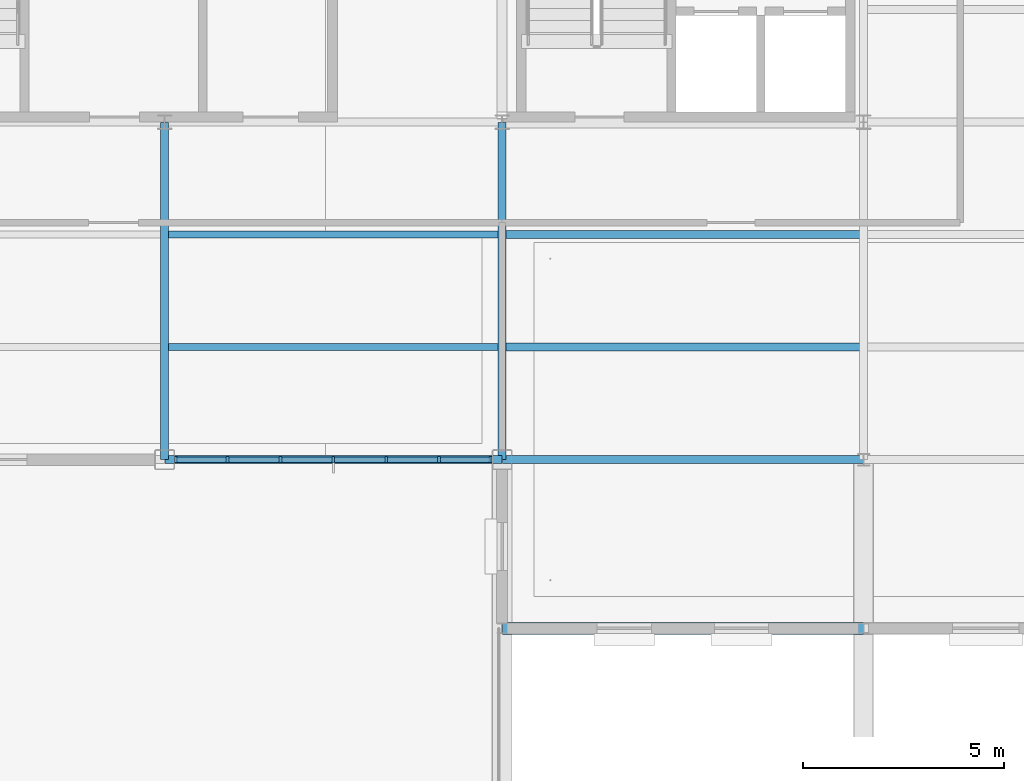
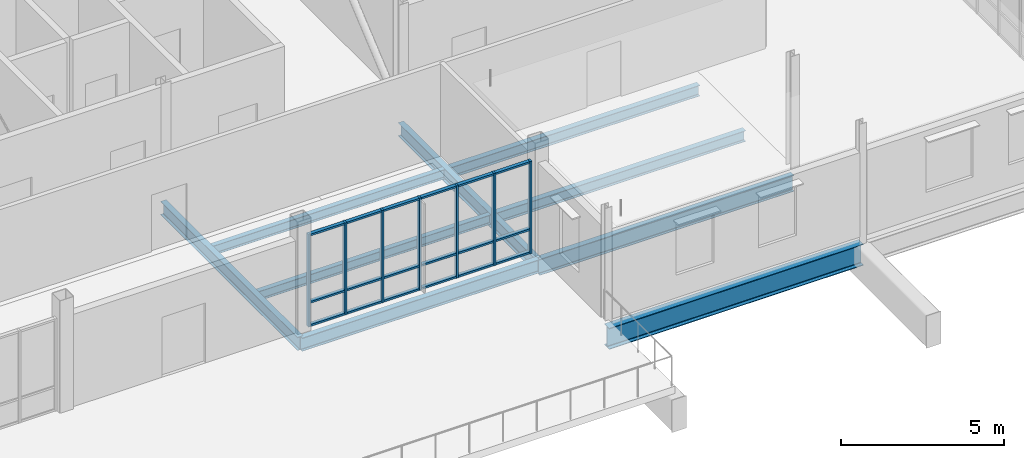
# One storey, part 5 of 22: 25 members, 9 beams, 1 element without a shape of its own.
"""IFC4 building model written with IfcOpenShell, lengths in metres."""

from ifc_helpers import new_model, si_unit, direction, frame, origin, origin_2d, place, context, subcontext, project, spatial, rectangle, i_section, extrude, material, layer, layer_set, material_profile, profile_set, type_object, element, aggregate, save


model = new_model("IFC4")

# Units and contexts
model_context = context("Model", 3, precision=1e-05, world=origin(), true_north=direction((0.0, 1.0)))
body_context = subcontext(model_context, "Body", "Model", "MODEL_VIEW")
ifc_project = project(units=[si_unit("LENGTHUNIT", "METRE"), si_unit("AREAUNIT", "SQUARE_METRE"), si_unit("VOLUMEUNIT", "CUBIC_METRE"), si_unit("PLANEANGLEUNIT", "RADIAN"), si_unit("MASSUNIT", "GRAM", prefix="KILO")], contexts=[model_context])

# Site, building, storey
site_placement = place(None, origin())
site = spatial("IfcSite", under=ifc_project, at=site_placement, CompositionType="ELEMENT")
building_placement = place(site_placement, origin())
building = spatial("IfcBuilding", under=site, at=building_placement, Name="Yukiwa Park Conservatory and Herbarium", CompositionType="ELEMENT")
storey_placement = place(building_placement, frame((0.0, 0.0, 35.39990234375)))
storey = spatial("IfcBuildingStorey", under=building, at=storey_placement, Name="L09", CompositionType="ELEMENT", Elevation=35.39990234375)

# Beams
ifc_material_1 = material(Name="Steel Q355D", Category="steel")
ifc_material_profile_1 = material_profile(ifc_material_1, i_section(OverallWidth=0.199951171875, OverallDepth=0.5, WebThickness=0.010009765625, FlangeThickness=0.01611328125, FilletRadius=0.02001953125, at=origin_2d()), Name="HN 500x200x10x16")
ifc_profile_set_1 = profile_set([ifc_material_profile_1], Name="Steel Q355D")
beam_type_1 = type_object("IfcBeamType", Name="BM-GRD-HN500", PredefinedType="BEAM", material=ifc_profile_set_1)
for number, where, z_axis, x_axis, name in (
    (1, (141.60595703125, 86.39990234375, -0.554931640625), (1.0, 0.0, 0.0), (0.0, 1.0, 0.0), "L09 grid beam X-6"),
    (2, (141.60009765625, 86.406005859375, -0.554931640625), (0.0, 1.0, 0.0), (-1.0, 0.0, 0.0), "L09 grid girder Y-32"),
    (3, (150.0, 86.406005859375, -0.554931640625), (0.0, 1.0, 0.0), (-1.0, 0.0, 0.0), "L09 grid girder Y-34"),
):
    element("IfcBeam", number, at=place(storey_placement, frame(where, z_axis=z_axis, x_axis=x_axis)), inside=storey, type_object=beam_type_1, Name=name, PredefinedType="BEAM", context=body_context, shape_type="SweptSolid", body=[
        extrude(i_section(OverallWidth=0.199951171875, OverallDepth=0.5, WebThickness=0.010009765625, FlangeThickness=0.01611328125, FilletRadius=0.02001953125, at=origin_2d()), origin(), (0.0, 0.0, 1.0), 8.387939453125),
    ])
ifc_material_2 = material(Name="Steel Q355D", Category="steel")
ifc_material_profile_2 = material_profile(ifc_material_2, i_section(OverallWidth=0.199951171875, OverallDepth=0.60009765625, WebThickness=0.010986328125, FlangeThickness=0.01708984375, FilletRadius=0.02197265625, at=origin_2d()), Name="HN 600x200x11x17")
ifc_profile_set_2 = profile_set([ifc_material_profile_2], Name="Steel Q355D")
beam_type_2 = type_object("IfcBeamType", Name="BM-GRD-HN600", PredefinedType="BEAM", material=ifc_profile_set_2)
beam_1_placement = place(storey_placement, frame((150.006103515625, 86.39990234375, -0.60498046875), z_axis=(1.0, 0.0, 0.0), x_axis=(0.0, 1.0, 0.0)))
element("IfcBeam", 4, at=beam_1_placement, inside=storey, type_object=beam_type_2, Name="L09 grid beam X-7", PredefinedType="BEAM", context=body_context, shape_type="SweptSolid", body=[
    extrude(i_section(OverallWidth=0.199951171875, OverallDepth=0.60009765625, WebThickness=0.010986328125, FlangeThickness=0.01708984375, FilletRadius=0.02197265625, at=origin_2d()), origin(), (0.0, 0.0, 1.0), 8.98779296875),
])
ifc_material_3 = material(Name="Steel Q355D", Category="steel")
ifc_material_profile_3 = material_profile(ifc_material_3, i_section(OverallWidth=0.175048828125, OverallDepth=0.35009765625, WebThickness=0.007080078125, FlangeThickness=0.010986328125, FilletRadius=0.013916015625, at=origin_2d()), Name="HN 350x175x7x11")
ifc_profile_set_3 = profile_set([ifc_material_profile_3], Name="Steel Q355D")
beam_type_3 = type_object("IfcBeamType", Name="BM-JST-HN350", PredefinedType="JOIST", material=ifc_profile_set_3)
for number, where, z_axis, x_axis, name in (
    (5, (141.696044921875, 89.199951171875, -0.47998046875), (1.0, 0.0, 0.0), (0.0, 1.0, 0.0), "L09 composite floor joist 13"),
    (6, (141.696044921875, 92.0, -0.47998046875), (1.0, 0.0, 0.0), (0.0, 1.0, 0.0), "L09 composite floor joist 14"),
):
    element("IfcBeam", number, at=place(storey_placement, frame(where, z_axis=z_axis, x_axis=x_axis)), inside=storey, type_object=beam_type_3, Name=name, PredefinedType="JOIST", context=body_context, shape_type="SweptSolid", body=[
        extrude(i_section(OverallWidth=0.175048828125, OverallDepth=0.35009765625, WebThickness=0.007080078125, FlangeThickness=0.010986328125, FilletRadius=0.013916015625, at=origin_2d()), origin(), (0.0, 0.0, 1.0), 8.2080078125),
    ])
ifc_material_4 = material(Name="Steel Q355D", Category="steel")
ifc_material_profile_4 = material_profile(ifc_material_4, i_section(OverallWidth=0.199951171875, OverallDepth=0.39990234375, WebThickness=0.008056640625, FlangeThickness=0.012939453125, FilletRadius=0.01611328125, at=origin_2d()), Name="HN 400x200x8x13")
ifc_profile_set_4 = profile_set([ifc_material_profile_4], Name="Steel Q355D")
beam_type_4 = type_object("IfcBeamType", Name="BM-JST-HN400", PredefinedType="JOIST", material=ifc_profile_set_4)
for number, where, z_axis, x_axis, name in (
    (7, (150.095947265625, 89.199951171875, -0.5048828125), (1.0, 0.0, 0.0), (0.0, 1.0, 0.0), "L09 composite floor joist 17"),
    (8, (150.095947265625, 92.0, -0.5048828125), (1.0, 0.0, 0.0), (0.0, 1.0, 0.0), "L09 composite floor joist 18"),
):
    element("IfcBeam", number, at=place(storey_placement, frame(where, z_axis=z_axis, x_axis=x_axis)), inside=storey, type_object=beam_type_4, Name=name, PredefinedType="JOIST", context=body_context, shape_type="SweptSolid", body=[
        extrude(i_section(OverallWidth=0.199951171875, OverallDepth=0.39990234375, WebThickness=0.008056640625, FlangeThickness=0.012939453125, FilletRadius=0.01611328125, at=origin_2d()), origin(), (0.0, 0.0, 1.0), 8.80810546875),
    ])
ifc_material_5 = material(Name="Steel Q355D", Category="steel")
ifc_material_profile_5 = material_profile(ifc_material_5, i_section(OverallWidth=0.300048828125, OverallDepth=0.7919921875, WebThickness=0.013916015625, FlangeThickness=0.02197265625, FilletRadius=0.028076171875, at=origin_2d()), Name="HN 792x300x14x22")
ifc_profile_set_5 = profile_set([ifc_material_profile_5], Name="Steel Q355D")
beam_type_5 = type_object("IfcBeamType", Name="BM-SPN-HN600", PredefinedType="SPANDREL", material=ifc_profile_set_5)
beam_2_placement = place(storey_placement, frame((150.006103515625, 82.199951171875, -0.700927734375), z_axis=(1.0, 0.0, 0.0), x_axis=(0.0, 1.0, 0.0)))
element("IfcBeam", 9, at=beam_2_placement, inside=storey, type_object=beam_type_5, Name="L09 spandrel beam X-2", PredefinedType="SPANDREL", context=body_context, shape_type="SweptSolid", body=[
    extrude(i_section(OverallWidth=0.300048828125, OverallDepth=0.7919921875, WebThickness=0.013916015625, FlangeThickness=0.02197265625, FilletRadius=0.028076171875, at=origin_2d()), origin(), (0.0, 0.0, 1.0), 8.98779296875),
])

# Curtain wall, members
ifc_material_6 = material(Name="Triple Low-E Insulated Glass", Category="glass")
ifc_layer = layer(ifc_material_6, 0.248046875)
ifc_layer_set = layer_set([ifc_layer], Name="Triple Low-E Insulated Glass")
curtain_wall_type = type_object("IfcCurtainWallType", Name="CW-TOWER-LAB-S-1400", PredefinedType="NOTDEFINED", material=ifc_layer_set)
curtain_wall_placement = place(storey_placement, origin())
curtain_wall = element("IfcCurtainWall", 10, at=curtain_wall_placement, inside=storey, type_object=curtain_wall_type, Name="L09 unitised curtain wall CW-L09-104", PredefinedType="NOTDEFINED")
ifc_material_7 = material(Name="Anodised Aluminium", Category="aluminium")
member_type_1 = type_object("IfcMemberType", Name="MB-CW-MUL-70X150", PredefinedType="MULLION", material=ifc_material_7)
member_1_placement = place(storey_placement, frame((141.885009765625, 86.39990234375, 0.0), z_axis=(0.0, 0.0, 1.0), x_axis=(1.0, 0.0, 0.0)))
member_1 = element("IfcMember", 11, at=member_1_placement, type_object=member_type_1, Name="CW-L09-104 mullion 1", PredefinedType="MULLION", context=body_context, shape_type="SweptSolid", body=[
    extrude(rectangle(XDim=0.070068359375, YDim=0.14990234375, at=origin_2d()), origin(), (0.0, 0.0, 1.0), 3.447998046875),
])
member_2_placement = place(storey_placement, frame((143.166748046875, 86.39990234375, 0.0), z_axis=(0.0, 0.0, 1.0), x_axis=(1.0, 0.0, 0.0)))
member_2 = element("IfcMember", 12, at=member_2_placement, type_object=member_type_1, Name="CW-L09-104 mullion 2", PredefinedType="MULLION", context=body_context, shape_type="SweptSolid", body=[
    extrude(rectangle(XDim=0.070068359375, YDim=0.14990234375, at=origin_2d()), origin(), (0.0, 0.0, 1.0), 3.447998046875),
])
member_3_placement = place(storey_placement, frame((144.4833984375, 86.39990234375, 0.0), z_axis=(0.0, 0.0, 1.0), x_axis=(1.0, 0.0, 0.0)))
member_3 = element("IfcMember", 13, at=member_3_placement, type_object=member_type_1, Name="CW-L09-104 mullion 3", PredefinedType="MULLION", context=body_context, shape_type="SweptSolid", body=[
    extrude(rectangle(XDim=0.070068359375, YDim=0.14990234375, at=origin_2d()), origin(), (0.0, 0.0, 1.0), 3.447998046875),
])
member_4_placement = place(storey_placement, frame((145.800048828125, 86.39990234375, 0.0), z_axis=(0.0, 0.0, 1.0), x_axis=(1.0, 0.0, 0.0)))
member_4 = element("IfcMember", 14, at=member_4_placement, type_object=member_type_1, Name="CW-L09-104 mullion 4", PredefinedType="MULLION", context=body_context, shape_type="SweptSolid", body=[
    extrude(rectangle(XDim=0.070068359375, YDim=0.14990234375, at=origin_2d()), origin(), (0.0, 0.0, 1.0), 3.447998046875),
])
member_5_placement = place(storey_placement, frame((147.11669921875, 86.39990234375, 0.0), z_axis=(0.0, 0.0, 1.0), x_axis=(1.0, 0.0, 0.0)))
member_5 = element("IfcMember", 15, at=member_5_placement, type_object=member_type_1, Name="CW-L09-104 mullion 5", PredefinedType="MULLION", context=body_context, shape_type="SweptSolid", body=[
    extrude(rectangle(XDim=0.070068359375, YDim=0.14990234375, at=origin_2d()), origin(), (0.0, 0.0, 1.0), 3.447998046875),
])
member_6_placement = place(storey_placement, frame((148.433349609375, 86.39990234375, 0.0), z_axis=(0.0, 0.0, 1.0), x_axis=(1.0, 0.0, 0.0)))
member_6 = element("IfcMember", 16, at=member_6_placement, type_object=member_type_1, Name="CW-L09-104 mullion 6", PredefinedType="MULLION", context=body_context, shape_type="SweptSolid", body=[
    extrude(rectangle(XDim=0.070068359375, YDim=0.14990234375, at=origin_2d()), origin(), (0.0, 0.0, 1.0), 3.447998046875),
])
member_7_placement = place(storey_placement, frame((149.715087890625, 86.39990234375, 0.0), z_axis=(0.0, 0.0, 1.0), x_axis=(1.0, 0.0, 0.0)))
member_7 = element("IfcMember", 17, at=member_7_placement, type_object=member_type_1, Name="CW-L09-104 mullion 7", PredefinedType="MULLION", context=body_context, shape_type="SweptSolid", body=[
    extrude(rectangle(XDim=0.070068359375, YDim=0.14990234375, at=origin_2d()), origin(), (0.0, 0.0, 1.0), 3.447998046875),
])
ifc_material_8 = material(Name="Anodised Aluminium", Category="aluminium")
member_type_2 = type_object("IfcMemberType", Name="MB-CW-TRN-70X130", PredefinedType="USERDEFINED", material=ifc_material_8)
member_8_placement = place(storey_placement, frame((142.50830078125, 86.39990234375, 0.0), z_axis=(0.0, 0.0, 1.0), x_axis=(1.0, 0.0, 0.0)))
member_8 = element("IfcMember", 18, at=member_8_placement, type_object=member_type_2, Name="CW-L09-104 transom 1.1", ObjectType="TRANSOM", PredefinedType="USERDEFINED", context=body_context, shape_type="SweptSolid", body=[
    extrude(rectangle(XDim=1.24658203125, YDim=0.1298828125, at=origin_2d()), origin(), (0.0, 0.0, 1.0), 0.070068359375),
])
member_9_placement = place(storey_placement, frame((142.50830078125, 86.39990234375, 0.865234375), z_axis=(0.0, 0.0, 1.0), x_axis=(1.0, 0.0, 0.0)))
member_9 = element("IfcMember", 19, at=member_9_placement, type_object=member_type_2, Name="CW-L09-104 transom 1.2", ObjectType="TRANSOM", PredefinedType="USERDEFINED", context=body_context, shape_type="SweptSolid", body=[
    extrude(rectangle(XDim=1.24658203125, YDim=0.1298828125, at=origin_2d()), origin(), (0.0, 0.0, 1.0), 0.070068359375),
])
member_10_placement = place(storey_placement, frame((142.50830078125, 86.39990234375, 3.3779296875), z_axis=(0.0, 0.0, 1.0), x_axis=(1.0, 0.0, 0.0)))
member_10 = element("IfcMember", 20, at=member_10_placement, type_object=member_type_2, Name="CW-L09-104 transom 1.3", ObjectType="TRANSOM", PredefinedType="USERDEFINED", context=body_context, shape_type="SweptSolid", body=[
    extrude(rectangle(XDim=1.24658203125, YDim=0.1298828125, at=origin_2d()), origin(), (0.0, 0.0, 1.0), 0.070068359375),
])
member_11_placement = place(storey_placement, frame((143.824951171875, 86.39990234375, 0.0), z_axis=(0.0, 0.0, 1.0), x_axis=(1.0, 0.0, 0.0)))
member_11 = element("IfcMember", 21, at=member_11_placement, type_object=member_type_2, Name="CW-L09-104 transom 2.1", ObjectType="TRANSOM", PredefinedType="USERDEFINED", context=body_context, shape_type="SweptSolid", body=[
    extrude(rectangle(XDim=1.24658203125, YDim=0.1298828125, at=origin_2d()), origin(), (0.0, 0.0, 1.0), 0.070068359375),
])
member_12_placement = place(storey_placement, frame((143.824951171875, 86.39990234375, 0.865234375), z_axis=(0.0, 0.0, 1.0), x_axis=(1.0, 0.0, 0.0)))
member_12 = element("IfcMember", 22, at=member_12_placement, type_object=member_type_2, Name="CW-L09-104 transom 2.2", ObjectType="TRANSOM", PredefinedType="USERDEFINED", context=body_context, shape_type="SweptSolid", body=[
    extrude(rectangle(XDim=1.24658203125, YDim=0.1298828125, at=origin_2d()), origin(), (0.0, 0.0, 1.0), 0.070068359375),
])
member_13_placement = place(storey_placement, frame((143.824951171875, 86.39990234375, 3.3779296875), z_axis=(0.0, 0.0, 1.0), x_axis=(1.0, 0.0, 0.0)))
member_13 = element("IfcMember", 23, at=member_13_placement, type_object=member_type_2, Name="CW-L09-104 transom 2.3", ObjectType="TRANSOM", PredefinedType="USERDEFINED", context=body_context, shape_type="SweptSolid", body=[
    extrude(rectangle(XDim=1.24658203125, YDim=0.1298828125, at=origin_2d()), origin(), (0.0, 0.0, 1.0), 0.070068359375),
])
member_14_placement = place(storey_placement, frame((145.1416015625, 86.39990234375, 0.0), z_axis=(0.0, 0.0, 1.0), x_axis=(1.0, 0.0, 0.0)))
member_14 = element("IfcMember", 24, at=member_14_placement, type_object=member_type_2, Name="CW-L09-104 transom 3.1", ObjectType="TRANSOM", PredefinedType="USERDEFINED", context=body_context, shape_type="SweptSolid", body=[
    extrude(rectangle(XDim=1.24658203125, YDim=0.1298828125, at=origin_2d()), origin(), (0.0, 0.0, 1.0), 0.070068359375),
])
member_15_placement = place(storey_placement, frame((145.1416015625, 86.39990234375, 0.865234375), z_axis=(0.0, 0.0, 1.0), x_axis=(1.0, 0.0, 0.0)))
member_15 = element("IfcMember", 25, at=member_15_placement, type_object=member_type_2, Name="CW-L09-104 transom 3.2", ObjectType="TRANSOM", PredefinedType="USERDEFINED", context=body_context, shape_type="SweptSolid", body=[
    extrude(rectangle(XDim=1.24658203125, YDim=0.1298828125, at=origin_2d()), origin(), (0.0, 0.0, 1.0), 0.070068359375),
])
member_16_placement = place(storey_placement, frame((145.1416015625, 86.39990234375, 3.3779296875), z_axis=(0.0, 0.0, 1.0), x_axis=(1.0, 0.0, 0.0)))
member_16 = element("IfcMember", 26, at=member_16_placement, type_object=member_type_2, Name="CW-L09-104 transom 3.3", ObjectType="TRANSOM", PredefinedType="USERDEFINED", context=body_context, shape_type="SweptSolid", body=[
    extrude(rectangle(XDim=1.24658203125, YDim=0.1298828125, at=origin_2d()), origin(), (0.0, 0.0, 1.0), 0.070068359375),
])
member_17_placement = place(storey_placement, frame((146.458251953125, 86.39990234375, 0.0), z_axis=(0.0, 0.0, 1.0), x_axis=(1.0, 0.0, 0.0)))
member_17 = element("IfcMember", 27, at=member_17_placement, type_object=member_type_2, Name="CW-L09-104 transom 4.1", ObjectType="TRANSOM", PredefinedType="USERDEFINED", context=body_context, shape_type="SweptSolid", body=[
    extrude(rectangle(XDim=1.24658203125, YDim=0.1298828125, at=origin_2d()), origin(), (0.0, 0.0, 1.0), 0.070068359375),
])
member_18_placement = place(storey_placement, frame((146.458251953125, 86.39990234375, 0.865234375), z_axis=(0.0, 0.0, 1.0), x_axis=(1.0, 0.0, 0.0)))
member_18 = element("IfcMember", 28, at=member_18_placement, type_object=member_type_2, Name="CW-L09-104 transom 4.2", ObjectType="TRANSOM", PredefinedType="USERDEFINED", context=body_context, shape_type="SweptSolid", body=[
    extrude(rectangle(XDim=1.24658203125, YDim=0.1298828125, at=origin_2d()), origin(), (0.0, 0.0, 1.0), 0.070068359375),
])
member_19_placement = place(storey_placement, frame((146.458251953125, 86.39990234375, 3.3779296875), z_axis=(0.0, 0.0, 1.0), x_axis=(1.0, 0.0, 0.0)))
member_19 = element("IfcMember", 29, at=member_19_placement, type_object=member_type_2, Name="CW-L09-104 transom 4.3", ObjectType="TRANSOM", PredefinedType="USERDEFINED", context=body_context, shape_type="SweptSolid", body=[
    extrude(rectangle(XDim=1.24658203125, YDim=0.1298828125, at=origin_2d()), origin(), (0.0, 0.0, 1.0), 0.070068359375),
])
member_20_placement = place(storey_placement, frame((147.77490234375, 86.39990234375, 0.0), z_axis=(0.0, 0.0, 1.0), x_axis=(1.0, 0.0, 0.0)))
member_20 = element("IfcMember", 30, at=member_20_placement, type_object=member_type_2, Name="CW-L09-104 transom 5.1", ObjectType="TRANSOM", PredefinedType="USERDEFINED", context=body_context, shape_type="SweptSolid", body=[
    extrude(rectangle(XDim=1.24658203125, YDim=0.1298828125, at=origin_2d()), origin(), (0.0, 0.0, 1.0), 0.070068359375),
])
member_21_placement = place(storey_placement, frame((147.77490234375, 86.39990234375, 0.865234375), z_axis=(0.0, 0.0, 1.0), x_axis=(1.0, 0.0, 0.0)))
member_21 = element("IfcMember", 31, at=member_21_placement, type_object=member_type_2, Name="CW-L09-104 transom 5.2", ObjectType="TRANSOM", PredefinedType="USERDEFINED", context=body_context, shape_type="SweptSolid", body=[
    extrude(rectangle(XDim=1.24658203125, YDim=0.1298828125, at=origin_2d()), origin(), (0.0, 0.0, 1.0), 0.070068359375),
])
member_22_placement = place(storey_placement, frame((147.77490234375, 86.39990234375, 3.3779296875), z_axis=(0.0, 0.0, 1.0), x_axis=(1.0, 0.0, 0.0)))
member_22 = element("IfcMember", 32, at=member_22_placement, type_object=member_type_2, Name="CW-L09-104 transom 5.3", ObjectType="TRANSOM", PredefinedType="USERDEFINED", context=body_context, shape_type="SweptSolid", body=[
    extrude(rectangle(XDim=1.24658203125, YDim=0.1298828125, at=origin_2d()), origin(), (0.0, 0.0, 1.0), 0.070068359375),
])
member_23_placement = place(storey_placement, frame((149.091796875, 86.39990234375, 0.0), z_axis=(0.0, 0.0, 1.0), x_axis=(1.0, 0.0, 0.0)))
member_23 = element("IfcMember", 33, at=member_23_placement, type_object=member_type_2, Name="CW-L09-104 transom 6.1", ObjectType="TRANSOM", PredefinedType="USERDEFINED", context=body_context, shape_type="SweptSolid", body=[
    extrude(rectangle(XDim=1.24658203125, YDim=0.1298828125, at=origin_2d()), origin(), (0.0, 0.0, 1.0), 0.070068359375),
])
member_24_placement = place(storey_placement, frame((149.091796875, 86.39990234375, 0.865234375), z_axis=(0.0, 0.0, 1.0), x_axis=(1.0, 0.0, 0.0)))
member_24 = element("IfcMember", 34, at=member_24_placement, type_object=member_type_2, Name="CW-L09-104 transom 6.2", ObjectType="TRANSOM", PredefinedType="USERDEFINED", context=body_context, shape_type="SweptSolid", body=[
    extrude(rectangle(XDim=1.24658203125, YDim=0.1298828125, at=origin_2d()), origin(), (0.0, 0.0, 1.0), 0.070068359375),
])
member_25_placement = place(storey_placement, frame((149.091796875, 86.39990234375, 3.3779296875), z_axis=(0.0, 0.0, 1.0), x_axis=(1.0, 0.0, 0.0)))
member_25 = element("IfcMember", 35, at=member_25_placement, type_object=member_type_2, Name="CW-L09-104 transom 6.3", ObjectType="TRANSOM", PredefinedType="USERDEFINED", context=body_context, shape_type="SweptSolid", body=[
    extrude(rectangle(XDim=1.24658203125, YDim=0.1298828125, at=origin_2d()), origin(), (0.0, 0.0, 1.0), 0.070068359375),
])
aggregate(curtain_wall, [member_1, member_2, member_3, member_4, member_5, member_6, member_7, member_8, member_9, member_10, member_11, member_12, member_13, member_14, member_15, member_16, member_17, member_18, member_19, member_20, member_21, member_22, member_23, member_24, member_25])

save(model, "model.ifc")
